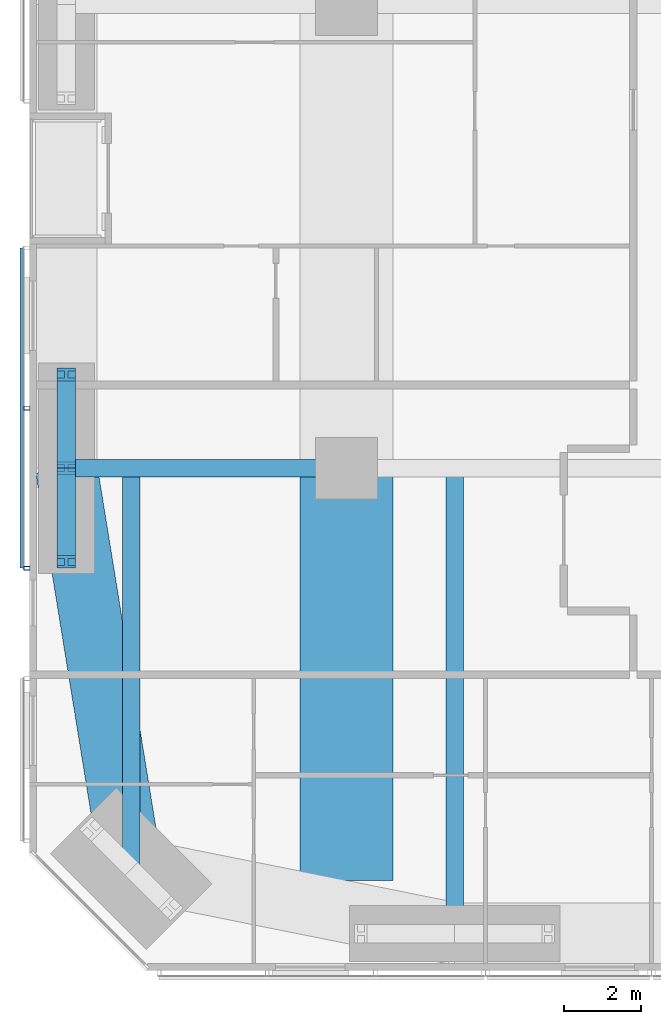
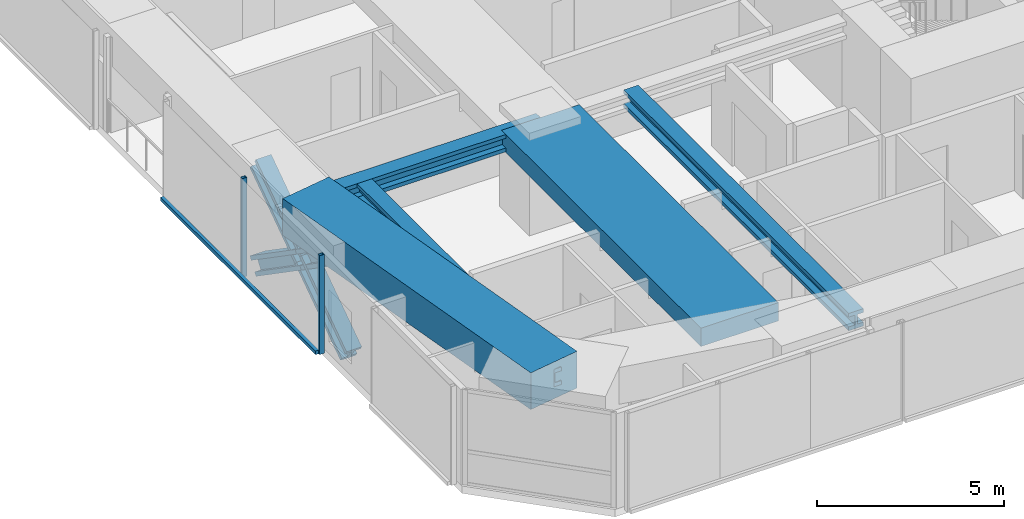
# One storey, part 3 of 24: 7 members, 5 beams, 1 element without a shape of its own.
"""IFC4 building model written with IfcOpenShell, lengths in metres."""

from ifc_helpers import new_model, si_unit, direction, frame, origin, origin_2d, place, context, subcontext, project, spatial, rectangle, hollow_rectangle, i_section, extrude, material, material_profile, profile_set, type_object, element, aggregate, save


model = new_model("IFC4")

# Units and contexts
model_context = context("Model", 3, precision=1e-05, world=origin(), true_north=direction((0.0, 1.0)))
body_context = subcontext(model_context, "Body", "Model", "MODEL_VIEW")
ifc_project = project(units=[si_unit("LENGTHUNIT", "METRE"), si_unit("AREAUNIT", "SQUARE_METRE"), si_unit("VOLUMEUNIT", "CUBIC_METRE"), si_unit("PLANEANGLEUNIT", "RADIAN"), si_unit("MASSUNIT", "GRAM", prefix="KILO")], contexts=[model_context])

# Site, building, storey
site_placement = place(None, origin())
site = spatial("IfcSite", under=ifc_project, at=site_placement, CompositionType="ELEMENT")
building_placement = place(site_placement, origin())
building = spatial("IfcBuilding", under=site, at=building_placement, Name="Jalousie Tower", CompositionType="ELEMENT")
storey_placement = place(building_placement, frame((0.0, 0.0, 44.449951171875)))
storey = spatial("IfcBuildingStorey", under=building, at=storey_placement, Name="L11", CompositionType="ELEMENT", Elevation=44.449951171875)

# Beams
ifc_material_1 = material(Name="Steel ASTM A992 Grade 50", Category="steel")
ifc_material_profile_1 = material_profile(ifc_material_1, i_section(OverallWidth=0.45458984375, OverallDepth=0.569091796875, WebThickness=0.077880859375, FlangeThickness=0.124755859375, at=origin_2d()), Name="W14X730")
ifc_profile_set_1 = profile_set([ifc_material_profile_1], Name="Steel ASTM A992 Grade 50")
beam_type_1 = type_object("IfcBeamType", Name="LEAN COLLECTOR W14X730", PredefinedType="BEAM", material=ifc_profile_set_1)
beam_1_placement = place(storey_placement, frame((2.949951171875, 13.0, 2.825439453125), z_axis=(1.0, 0.0, 0.0), x_axis=(0.0, 1.0, 0.0)))
element("IfcBeam", 1, at=beam_1_placement, inside=storey, type_object=beam_type_1, Name="Lean collector under L12", PredefinedType="BEAM", context=body_context, shape_type="SweptSolid", body=[
    extrude(i_section(OverallWidth=0.45458984375, OverallDepth=0.569091796875, WebThickness=0.077880859375, FlangeThickness=0.124755859375, at=origin_2d()), origin(), (0.0, 0.0, 1.0), 7.25),
])
beam_2_placement = place(storey_placement, frame((4.63134765625, 2.63134765625, 2.825439453125), z_axis=(0.0, 1.0, 0.0), x_axis=(-1.0, 0.0, 0.0)))
element("IfcBeam", 2, at=beam_2_placement, inside=storey, type_object=beam_type_1, Name="Lean collector under L12", PredefinedType="BEAM", context=body_context, shape_type="SweptSolid", body=[
    extrude(i_section(OverallWidth=0.45458984375, OverallDepth=0.569091796875, WebThickness=0.077880859375, FlangeThickness=0.124755859375, at=origin_2d()), origin(), (0.0, 0.0, 1.0), 10.36865234375),
])
beam_3_placement = place(storey_placement, frame((13.0, 0.949951171875, 2.825439453125), z_axis=(0.0, 1.0, 0.0), x_axis=(-1.0, 0.0, 0.0)))
element("IfcBeam", 3, at=beam_3_placement, inside=storey, type_object=beam_type_1, Name="Lean collector under L12", PredefinedType="BEAM", context=body_context, shape_type="SweptSolid", body=[
    extrude(i_section(OverallWidth=0.45458984375, OverallDepth=0.569091796875, WebThickness=0.077880859375, FlangeThickness=0.124755859375, at=origin_2d()), origin(), (0.0, 0.0, 1.0), 12.050048828125),
])

# Members
ifc_material_2 = material(Name="Steel ASTM A992 Grade 50", Category="steel")
ifc_material_profile_2 = material_profile(ifc_material_2, i_section(OverallWidth=0.472412109375, OverallDepth=0.5791015625, WebThickness=0.094970703125, FlangeThickness=0.1298828125, at=origin_2d()), Name="W14X808")
ifc_profile_set_2 = profile_set([ifc_material_profile_2], Name="Steel ASTM A992 Grade 50")
member_type_1 = type_object("IfcMemberType", Name="PERIMETER BRACE W14X808", PredefinedType="BRACE", material=ifc_profile_set_2)
for number, where, z_axis, x_axis, name in (
    (4, (2.949951171875, 10.574951171875, -0.599853515625), (0.0, 0.82283879777, 0.568274856811), (-1.0, 0.0, 0.0), "Perimeter brace 14 L11 part 1"),
    (5, (2.949951171875, 13.0, 1.074951171875), (0.0, 0.822800062329, 0.568330940062), (-1.0, 0.0, 0.0), "Perimeter brace 14 L11 part 2"),
    (6, (2.949951171875, 15.425048828125, -0.599853515625), (0.0, -0.82283879777, 0.568274856811), (1.0, 0.0, 0.0), "Perimeter brace 14 L11 part 3"),
    (7, (2.949951171875, 13.0, 1.074951171875), (0.0, -0.822800062329, 0.568330940062), (1.0, 0.0, 0.0), "Perimeter brace 14 L11 part 4"),
):
    element("IfcMember", number, at=place(storey_placement, frame(where, z_axis=z_axis, x_axis=x_axis)), inside=storey, type_object=member_type_1, Name=name, PredefinedType="BRACE", context=body_context, shape_type="SweptSolid", body=[
        extrude(i_section(OverallWidth=0.472412109375, OverallDepth=0.5791015625, WebThickness=0.094970703125, FlangeThickness=0.1298828125, at=origin_2d()), origin(), (0.0, 0.0, 1.0), 2.947265625),
    ])

# Beams
ifc_material_3 = material(Name="Concrete f'c 40 MPa", Category="concrete")
ifc_material_profile_3 = material_profile(ifc_material_3, rectangle(XDim=1.60009765625, YDim=1.199951171875, at=origin_2d()), Name="RC 1600x1200")
ifc_profile_set_3 = profile_set([ifc_material_profile_3], Name="Concrete f'c 40 MPa")
beam_type_2 = type_object("IfcBeamType", Name="RC BEAM 1600x1200", PredefinedType="BEAM", material=ifc_profile_set_3)
beam_4_placement = place(storey_placement, frame((2.949951171875, 13.0, 2.75), z_axis=(0.160070546476, -0.987105577003, 0.0), x_axis=(0.987105577003, 0.160070546476, 0.0)))
element("IfcBeam", 8, at=beam_4_placement, inside=storey, type_object=beam_type_2, Name="Edge band beam 14-01 under L12", PredefinedType="BEAM", context=body_context, shape_type="SweptSolid", body=[
    extrude(rectangle(XDim=1.60009765625, YDim=1.199951171875, at=origin_2d()), origin(), (0.0, 0.0, 1.0), 10.504150390625),
])
ifc_material_4 = material(Name="Concrete f'c 40 MPa", Category="concrete")
ifc_material_profile_4 = material_profile(ifc_material_4, rectangle(XDim=2.39990234375, YDim=0.60009765625, at=origin_2d()), Name="RC 2400x600")
ifc_profile_set_4 = profile_set([ifc_material_profile_4], Name="Concrete f'c 40 MPa")
beam_type_3 = type_object("IfcBeamType", Name="RC BEAM 2400x600", PredefinedType="BEAM", material=ifc_profile_set_4)
beam_5_placement = place(storey_placement, frame((10.199951171875, 13.0, 2.81005859375), z_axis=(0.0, -1.0, 0.0), x_axis=(1.0, 0.0, 0.0)))
element("IfcBeam", 9, at=beam_5_placement, inside=storey, type_object=beam_type_3, Name="Floor band beam under L12", PredefinedType="BEAM", context=body_context, shape_type="SweptSolid", body=[
    extrude(rectangle(XDim=2.39990234375, YDim=0.60009765625, at=origin_2d()), origin(), (0.0, 0.0, 1.0), 10.67138671875),
])

# Curtain wall, members
ifc_material_5 = material(Name="Perforated aluminium sheet", Category="aluminium")
curtain_wall_type = type_object("IfcCurtainWallType", Name="SOLAR SCREEN SS-1", PredefinedType="USERDEFINED", material=ifc_material_5)
curtain_wall_placement = place(storey_placement, origin())
curtain_wall = element("IfcCurtainWall", 10, at=curtain_wall_placement, inside=storey, type_object=curtain_wall_type, Name="Solar screen L11", ObjectType="SOLAR SCREEN SS-1", PredefinedType="USERDEFINED")
ifc_material_6 = material(Name="Steel ASTM A500 Grade C", Category="steel")
ifc_material_profile_5 = material_profile(ifc_material_6, hollow_rectangle(XDim=0.1015625, YDim=0.15234375, WallThickness=0.00634765625, at=origin_2d()), Name="HSS6X4X1/4")
ifc_profile_set_5 = profile_set([ifc_material_profile_5], Name="Steel ASTM A500 Grade C")
member_type_2 = type_object("IfcMemberType", Name="SOLAR SCREEN SS-1 MULLION", PredefinedType="MULLION", material=ifc_profile_set_5)
member_1_placement = place(storey_placement, frame((1.9287109375, 14.554931640625, -0.119873046875), z_axis=(0.0, 0.0, 1.0), x_axis=(0.0, -1.0, 0.0)))
member_1 = element("IfcMember", 11, at=member_1_placement, type_object=member_type_2, Name="SS1 post 2", PredefinedType="MULLION", context=body_context, shape_type="SweptSolid", body=[
    extrude(hollow_rectangle(XDim=0.1015625, YDim=0.15234375, WallThickness=0.00634765625, at=origin_2d()), origin(), (0.0, 0.0, 1.0), 3.22998046875),
])
member_2_placement = place(storey_placement, frame((1.9287109375, 10.409912109375, -0.119873046875), z_axis=(0.0, 0.0, 1.0), x_axis=(0.0, -1.0, 0.0)))
member_2 = element("IfcMember", 12, at=member_2_placement, type_object=member_type_2, Name="SS1 post 3", PredefinedType="MULLION", context=body_context, shape_type="SweptSolid", body=[
    extrude(hollow_rectangle(XDim=0.1015625, YDim=0.15234375, WallThickness=0.00634765625, at=origin_2d()), origin(), (0.0, 0.0, 1.0), 3.22998046875),
])
ifc_material_7 = material(Name="Extruded aluminium screen rail", Category="aluminium")
ifc_material_profile_6 = material_profile(ifc_material_7, rectangle(XDim=0.1015625, YDim=0.1201171875, at=origin_2d()), Name="RAIL 102x120")
ifc_profile_set_6 = profile_set([ifc_material_profile_6], Name="Extruded aluminium screen rail")
member_type_3 = type_object("IfcMemberType", Name="SOLAR SCREEN SS-1 TRANSOM", PredefinedType="USERDEFINED", material=ifc_profile_set_6)
member_3_placement = place(storey_placement, frame((1.8017578125, 18.699951171875, -0.06005859375), z_axis=(0.0, -1.0, 0.0), x_axis=(1.0, 0.0, 0.0)))
member_3 = element("IfcMember", 13, at=member_3_placement, type_object=member_type_3, Name="SS1 rail", ObjectType="TRANSOM", PredefinedType="USERDEFINED", context=body_context, shape_type="SweptSolid", body=[
    extrude(rectangle(XDim=0.1015625, YDim=0.1201171875, at=origin_2d()), origin(), (0.0, 0.0, 1.0), 8.2900390625),
])
aggregate(curtain_wall, [member_1, member_2, member_3])

save(model, "model.ifc")
